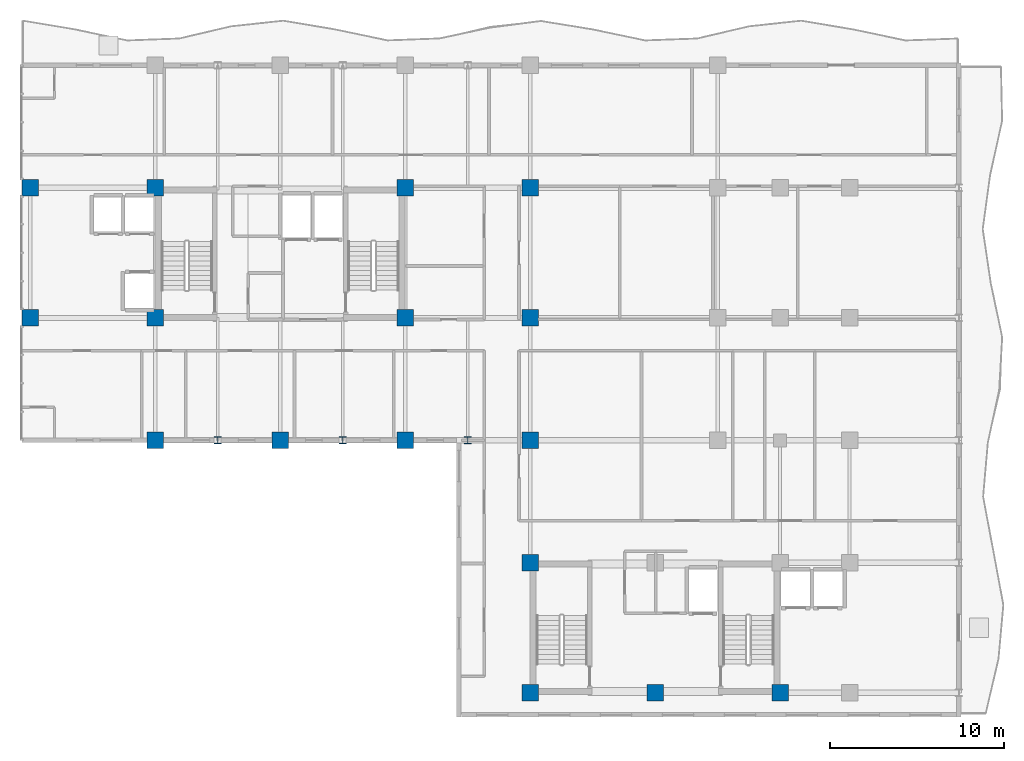
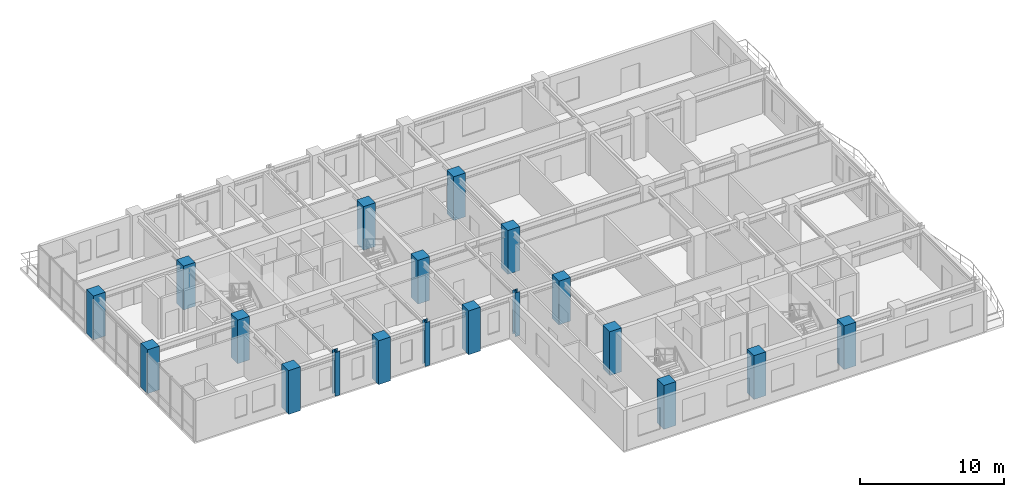
# One storey, part 1 of 20: 19 columns.
"""IFC4 building model written with IfcOpenShell, lengths in metres."""

from ifc_helpers import new_model, si_unit, direction, frame, origin, origin_2d, place, context, subcontext, project, spatial, rectangle, i_section, extrude, source, transform, mapped, material, material_profile, profile_set, type_object, element, save


model = new_model("IFC4")

# Units and contexts
model_context = context("Model", 3, precision=1e-05, world=origin(), true_north=direction((0.0, 1.0)))
body_context = subcontext(model_context, "Body", "Model", "MODEL_VIEW")
ifc_project = project(units=[si_unit("LENGTHUNIT", "METRE"), si_unit("AREAUNIT", "SQUARE_METRE"), si_unit("VOLUMEUNIT", "CUBIC_METRE"), si_unit("PLANEANGLEUNIT", "RADIAN"), si_unit("MASSUNIT", "GRAM", prefix="KILO")], contexts=[model_context])

# Site, building, storey
site_placement = place(None, origin())
site = spatial("IfcSite", under=ifc_project, at=site_placement, CompositionType="ELEMENT")
building_placement = place(site_placement, origin())
building = spatial("IfcBuilding", under=site, at=building_placement, Name="Kaliganga Portal Commons", CompositionType="ELEMENT")
storey_placement = place(building_placement, frame((0.0, 0.0, 216.60009765625)))
storey = spatial("IfcBuildingStorey", under=building, at=storey_placement, Name="L55", CompositionType="ELEMENT", Elevation=216.60009765625)

# Columns
ifc_material_1 = material(Name="Concrete C50/60", Category="concrete")
ifc_material_profile_1 = material_profile(ifc_material_1, rectangle(XDim=0.949951171875, YDim=0.949951171875, at=origin_2d()), Name="RC 950x950")
ifc_profile_set_1 = profile_set([ifc_material_profile_1], Name="Concrete C50/60")
column_type_1 = type_object("IfcColumnType", Name="COL-MEGA-Z4", PredefinedType="COLUMN", material=ifc_profile_set_1)
shared_shape_1 = source(origin(), body_context, "Body", "SweptSolid", [
    extrude(rectangle(XDim=0.949951171875, YDim=0.949951171875, at=origin_2d()), origin(), (0.0, 0.0, 1.0), 3.699951171875),
])
for number, where, z_axis, x_axis, name in (
    (1, (7.199951171875, 28.64990234375, 0.0), (0.0, 0.0, 1.0), (1.0, 0.0, 0.0), "Column MC-05 L55"),
    (2, (7.199951171875, 36.14990234375, 0.0), (0.0, 0.0, 1.0), (1.0, 0.0, 0.0), "Column MC-05 L55"),
    (3, (14.39990234375, 21.60009765625, 0.0), (0.0, 0.0, 1.0), (1.0, 0.0, 0.0), "Column MC-05 L55"),
    (4, (14.39990234375, 28.64990234375, 0.0), (0.0, 0.0, 1.0), (1.0, 0.0, 0.0), "Column MC-05 L55"),
    (5, (14.39990234375, 36.14990234375, 0.0), (0.0, 0.0, 1.0), (1.0, 0.0, 0.0), "Column MC-05 L55"),
    (6, (21.60009765625, 21.60009765625, 0.0), (0.0, 0.0, 1.0), (1.0, 0.0, 0.0), "Column MC-05 L55"),
    (7, (28.800048828125, 21.60009765625, 0.0), (0.0, 0.0, 1.0), (1.0, 0.0, 0.0), "Column MC-05 L55"),
    (8, (28.800048828125, 28.64990234375, 0.0), (0.0, 0.0, 1.0), (1.0, 0.0, 0.0), "Column MC-05 L55"),
    (9, (28.800048828125, 36.14990234375, 0.0), (0.0, 0.0, 1.0), (1.0, 0.0, 0.0), "Column MC-05 L55"),
    (10, (36.0, 21.60009765625, 0.0), (0.0, 0.0, 1.0), (1.0, 0.0, 0.0), "Column MC-05 L55"),
    (11, (36.0, 28.64990234375, 0.0), (0.0, 0.0, 1.0), (1.0, 0.0, 0.0), "Column MC-05 L55"),
    (12, (36.0, 36.14990234375, 0.0), (0.0, 0.0, 1.0), (1.0, 0.0, 0.0), "Column MC-05 L55"),
    (13, (36.0, 7.050048828125, 0.0), (0.0, 0.0, 1.0), (1.0, 0.0, 0.0), "Column MC-05 L55"),
    (14, (36.0, 14.550048828125, 0.0), (0.0, 0.0, 1.0), (1.0, 0.0, 0.0), "Column MC-05 L55"),
    (15, (43.199951171875, 7.050048828125, 0.0), (0.0, 0.0, 1.0), (1.0, 0.0, 0.0), "Column MC-05 L55"),
    (16, (50.39990234375, 7.050048828125, 0.0), (0.0, 0.0, 1.0), (1.0, 0.0, 0.0), "Column MC-05 L55"),
):
    element("IfcColumn", number, at=place(storey_placement, frame(where, z_axis=z_axis, x_axis=x_axis)), inside=storey, type_object=column_type_1, Name=name, PredefinedType="COLUMN", context=body_context, shape_type="MappedRepresentation", body=[
        mapped(shared_shape_1, transform((0.0, 0.0, 0.0), x_axis=(1.0, 0.0, 0.0), y_axis=(0.0, 1.0, 0.0), z_axis=(0.0, 0.0, 1.0), scale=1.0)),
    ])
ifc_material_2 = material(Name="Structural steel S355J2", Category="steel")
ifc_material_profile_2 = material_profile(ifc_material_2, i_section(OverallWidth=0.39892578125, OverallDepth=0.39990234375, WebThickness=0.017333984375, FlangeThickness=0.0234375, FilletRadius=0.014892578125, at=origin_2d()), Name="HD 400x287")
ifc_profile_set_2 = profile_set([ifc_material_profile_2], Name="Structural steel S355J2 wide-flange")
column_type_2 = type_object("IfcColumnType", Name="COL-TUBE-B4", PredefinedType="COLUMN", material=ifc_profile_set_2)
shared_shape_2 = source(origin(), body_context, "Body", "SweptSolid", [
    extrude(i_section(OverallWidth=0.39892578125, OverallDepth=0.39990234375, WebThickness=0.017333984375, FlangeThickness=0.0234375, FilletRadius=0.014892578125, at=origin_2d()), origin(), (0.0, 0.0, 1.0), 3.699951171875),
])
for number, where, z_axis, x_axis, name in (
    (17, (18.0, 21.60009765625, 0.0), (0.0, 0.0, 1.0), (1.0, 0.0, 0.0), "Column TC-04 L55"),
    (18, (25.199951171875, 21.60009765625, 0.0), (0.0, 0.0, 1.0), (1.0, 0.0, 0.0), "Column TC-04 L55"),
    (19, (32.39990234375, 21.60009765625, 0.0), (0.0, 0.0, 1.0), (1.0, 0.0, 0.0), "Column TC-04 L55"),
):
    element("IfcColumn", number, at=place(storey_placement, frame(where, z_axis=z_axis, x_axis=x_axis)), inside=storey, type_object=column_type_2, Name=name, PredefinedType="COLUMN", context=body_context, shape_type="MappedRepresentation", body=[
        mapped(shared_shape_2, transform((0.0, 0.0, 0.0), x_axis=(1.0, 0.0, 0.0), y_axis=(0.0, 1.0, 0.0), z_axis=(0.0, 0.0, 1.0), scale=1.0)),
    ])

save(model, "model.ifc")
